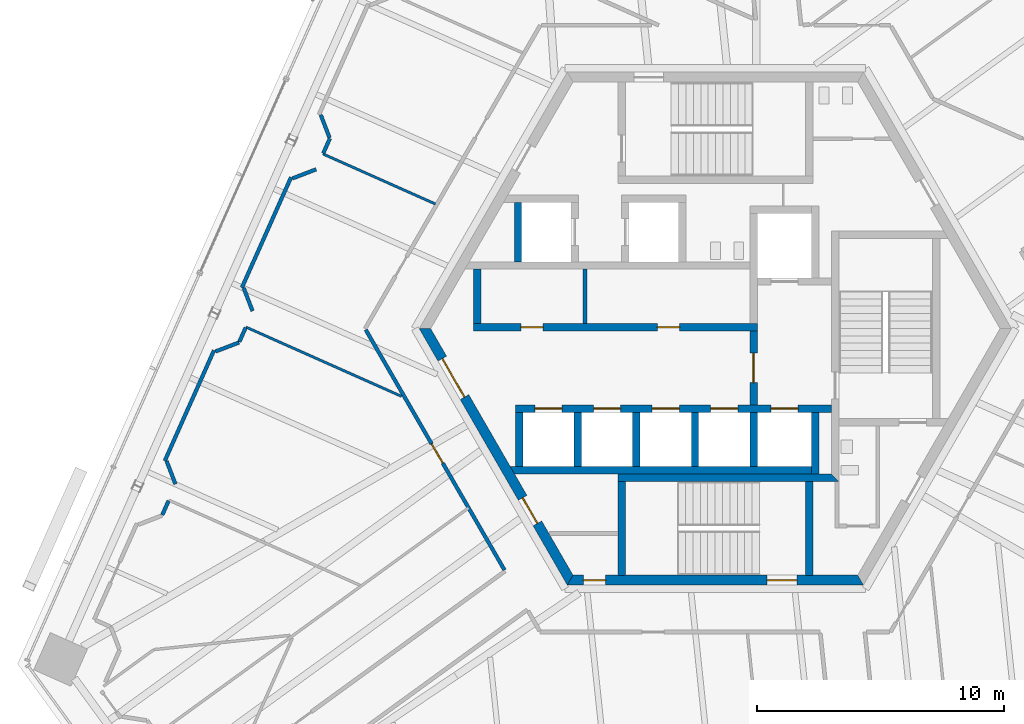
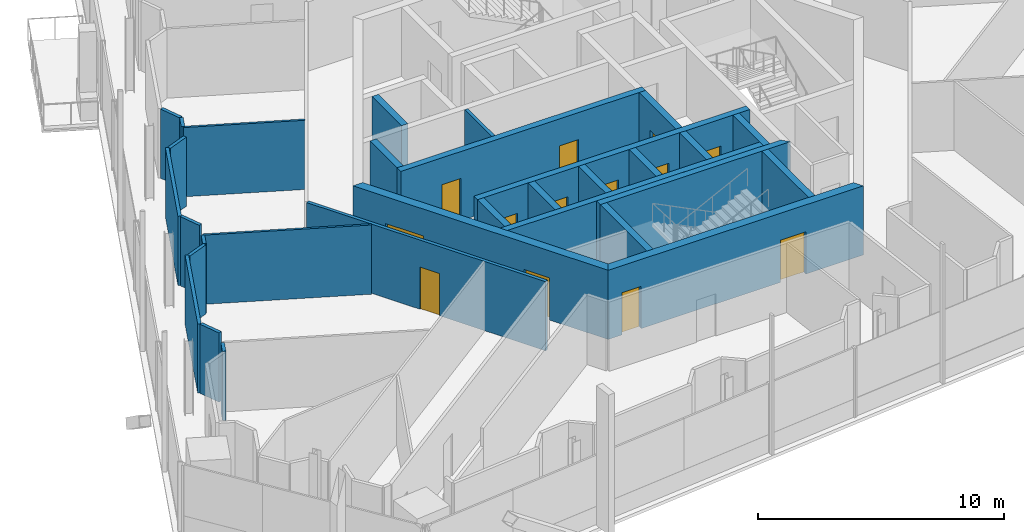
# One storey, part 11 of 21: 31 walls, 13 doors, 13 openings.
"""IFC4 building model written with IfcOpenShell, lengths in metres."""

from ifc_helpers import new_model, si_unit, direction, frame, frame_2d, origin, place, context, subcontext, project, spatial, polyline, rectangle, outline, extrude, source, transform, mapped, material, layer, layer_set, type_object, element, fill, save


model = new_model("IFC4")

# Units and contexts
model_context = context("Model", 3, precision=1e-05, world=origin(), true_north=direction((0.0, 1.0)))
body_context = subcontext(model_context, "Body", "Model", "MODEL_VIEW")
ifc_project = project(units=[si_unit("LENGTHUNIT", "METRE"), si_unit("AREAUNIT", "SQUARE_METRE"), si_unit("VOLUMEUNIT", "CUBIC_METRE"), si_unit("PLANEANGLEUNIT", "RADIAN"), si_unit("MASSUNIT", "GRAM", prefix="KILO")], contexts=[model_context])

# Site, building, storey
site_placement = place(None, origin())
site = spatial("IfcSite", under=ifc_project, at=site_placement, CompositionType="ELEMENT")
building_placement = place(site_placement, origin())
building = spatial("IfcBuilding", under=site, at=building_placement, Name="Triune Harvest Tower", CompositionType="ELEMENT")
storey_placement = place(building_placement, frame((0.0, 0.0, 248.5)))
storey = spatial("IfcBuildingStorey", under=building, at=storey_placement, Name="L65", CompositionType="ELEMENT", Elevation=248.5)

# Wall, opening, door
ifc_material_1 = material(Name="Gypsum board on steel studs", Category="steel")
ifc_layer_1 = layer(ifc_material_1, 0.14990234375)
ifc_layer_set_1 = layer_set([ifc_layer_1], Name="Gypsum board on steel studs")
wall_type_1 = type_object("IfcWallType", Name="Fire Partition 150 mm", PredefinedType="PARTITIONING", material=ifc_layer_set_1)
wall_1_placement = place(storey_placement, frame((-14.1689453125, -0.04296875, 0.0), z_axis=(0.0, 0.0, 1.0), x_axis=(0.500001223064, -0.866024697647, 0.0)))
wall_1 = element("IfcWall", 1, at=wall_1_placement, inside=storey, type_object=wall_type_1, Name="Partition L65 021", PredefinedType="PARTITIONING", context=body_context, shape_type="SweptSolid", body=[
    extrude(rectangle(XDim=11.2451171875, YDim=0.14990234375, at=frame_2d((5.62255859375, 0.0))), origin(), (0.0, 0.0, 1.0), 3.43994140625),
])
opening_1_placement = place(wall_1_placement, frame((5.343505859375, 0.0, 0.0)))
opening_1 = element("IfcOpeningElement", 2, at=opening_1_placement, cuts=wall_1, Name="Opening L65-015", PredefinedType="OPENING", context=body_context, shape_type="SweptSolid", body=[
    extrude(rectangle(XDim=0.89990234375, YDim=2.10009765625, at=frame_2d((0.449951171875, 1.050048828125))), frame((0.0, 0.0849609375, 0.0), z_axis=(0.0, -1.0, 0.0), x_axis=(1.0, 0.0, 0.0)), (0.0, 0.0, 1.0), 0.169921875),
])
ifc_material_2 = material(Name="Timber and steel door set", Category="steel")
door_type_1 = type_object("IfcDoorType", Name="Single leaf door FD30 left hand 900 x 2100", OperationType="SINGLE_SWING_LEFT", PredefinedType="DOOR", material=ifc_material_2)
door_1_placement = place(opening_1_placement, origin())
door_1 = element("IfcDoor", 3, at=door_1_placement, inside=storey, type_object=door_type_1, Name="Door L65-015 Office 65.15", OperationType="SINGLE_SWING_LEFT", OverallHeight=2.10009765625, OverallWidth=0.89990234375, PredefinedType="DOOR", context=body_context, shape_type="SweptSolid", body=[
    extrude(rectangle(XDim=0.89990234375, YDim=2.10009765625, at=frame_2d((0.449951171875, 1.050048828125))), frame((0.0, 0.02490234375, 0.0), z_axis=(0.0, -1.0, 0.0), x_axis=(1.0, 0.0, 0.0)), (0.0, 0.0, 1.0), 0.050048828125),
])
fill(opening_1, door_1)

# Walls
wall_2_placement = place(storey_placement, frame((-19.290283203125, -0.533935546875, 0.0), z_axis=(0.0, 0.0, 1.0), x_axis=(0.406534719055, 0.913635333272, 0.0)))
element("IfcWall", 4, at=wall_2_placement, inside=storey, type_object=wall_type_1, Name="Partition L65 127", PredefinedType="PARTITIONING", context=body_context, shape_type="SweptSolid", body=[
    extrude(rectangle(XDim=0.628662109375, YDim=0.14990234375, at=frame_2d((0.314453125, 0.0))), origin(), (0.0, 0.0, 1.0), 3.43994140625),
])
wall_3_placement = place(storey_placement, frame((-15.889404296875, 7.103759765625, 0.0), z_axis=(0.0, 0.0, 1.0), x_axis=(0.406587108314, 0.913612020145, 0.0)))
element("IfcWall", 5, at=wall_3_placement, inside=storey, type_object=wall_type_1, Name="Partition L65 128", PredefinedType="PARTITIONING", context=body_context, shape_type="SweptSolid", body=[
    extrude(rectangle(XDim=0.65625, YDim=0.14990234375, at=frame_2d((0.328125, 0.0))), origin(), (0.0, 0.0, 1.0), 3.43994140625),
])
wall_4_placement = place(storey_placement, frame((-19.188232421875, 1.657470703125, 0.0), z_axis=(0.0, 0.0, 1.0), x_axis=(0.40675767403, 0.913536093768, 0.0)))
element("IfcWall", 6, at=wall_4_placement, inside=storey, type_object=wall_type_1, Name="Partition L65 133", PredefinedType="PARTITIONING", context=body_context, shape_type="SweptSolid", body=[
    extrude(rectangle(XDim=4.9013671875, YDim=0.14990234375, at=frame_2d((2.45068359375, 0.0))), origin(), (0.0, 0.0, 1.0), 3.43994140625),
])
ifc_material_3 = material(Name="Gypsum board on steel studs", Category="steel")
ifc_layer_2 = layer(ifc_material_3, 0.10009765625)
ifc_layer_set_2 = layer_set([ifc_layer_2], Name="Gypsum board on steel studs")
wall_type_2 = type_object("IfcWallType", Name="Partition 100 mm", PredefinedType="PARTITIONING", material=ifc_layer_set_2)
wall_5_placement = place(storey_placement, frame((-19.02392578125, 0.063720703125, 0.0), z_axis=(0.0, 0.0, 1.0), x_axis=(0.913544422689, -0.406738967611, 0.0)))
element("IfcWall", 7, at=wall_5_placement, inside=storey, type_object=wall_type_2, Name="Partition L65 050", PredefinedType="PARTITIONING", context=body_context, shape_type="SweptSolid", body=[
    extrude(rectangle(XDim=6.902099609375, YDim=0.10009765625, at=frame_2d((3.451171875, 0.0))), origin(), (0.0, 0.0, 1.0), 3.43994140625),
])

# Wall, openings, doors
ifc_material_4 = material(Name="Concrete 70 MPa", Category="concrete")
ifc_layer_3 = layer(ifc_material_4, 0.39990234375)
ifc_layer_set_3 = layer_set([ifc_layer_3], Name="Concrete 70 MPa")
wall_type_3 = type_object("IfcWallType", Name="Core wall 400", PredefinedType="SHEAR", material=ifc_layer_set_3)
shared_shape_1 = source(origin(), body_context, "Body", "SweptSolid", [
    extrude(outline(polyline([(-0.115478515625, -0.199951171875), (11.884521484375, -0.199951171875), (11.653564453125, 0.199951171875), (0.115478515625, 0.199951171875), (-0.115478515625, -0.199951171875)])), origin(), (0.0, 0.0, 1.0), 3.43994140625),
])
wall_6_placement = place(storey_placement, frame((-11.76904296875, 0.0, 0.0), z_axis=(0.0, 0.0, 1.0), x_axis=(0.499996592174, -0.866027371285, 0.0)))
wall_6 = element("IfcWall", 8, at=wall_6_placement, inside=storey, type_object=wall_type_3, Name="Hexagon 3 wall", PredefinedType="SHEAR", context=body_context, shape_type="MappedRepresentation", body=[
    mapped(shared_shape_1, transform((0.0, 0.0, 0.0), scale=1.0)),
])
opening_2_placement = place(wall_6_placement, frame((1.404541015625, 0.0, 0.0)))
opening_2 = element("IfcOpeningElement", 9, at=opening_2_placement, cuts=wall_6, Name="Opening CD-LS", PredefinedType="OPENING", context=body_context, shape_type="SweptSolid", body=[
    extrude(rectangle(XDim=1.800048828125, YDim=2.10009765625, at=frame_2d((0.89990234375, 1.050048828125))), frame((0.0, 0.2099609375, 0.0), z_axis=(0.0, -1.0, 0.0), x_axis=(1.0, 0.0, 0.0)), (0.0, 0.0, 1.0), 0.419921875),
])
opening_3_placement = place(wall_6_placement, frame((7.91455078125, 0.0, 0.0)))
opening_3 = element("IfcOpeningElement", 10, at=opening_3_placement, cuts=wall_6, Name="Opening CD-SWP", PredefinedType="OPENING", context=body_context, shape_type="SweptSolid", body=[
    extrude(rectangle(XDim=1.199951171875, YDim=2.10009765625, at=frame_2d((0.60009765625, 1.050048828125))), frame((0.0, 0.2099609375, 0.0), z_axis=(0.0, -1.0, 0.0), x_axis=(1.0, 0.0, 0.0)), (0.0, 0.0, 1.0), 0.419921875),
])
ifc_material_5 = material(Name="Steel S235", Category="steel")
door_type_2 = type_object("IfcDoorType", Name="Lobby door 1800 FD120", OperationType="DOUBLE_DOOR_DOUBLE_SWING", PredefinedType="DOOR", material=ifc_material_5)
door_2_placement = place(opening_2_placement, frame((1.800048828125, 0.0, 0.0), z_axis=(0.0, 0.0, 1.0), x_axis=(-1.0, 0.0, 0.0)))
door_2 = element("IfcDoor", 11, at=door_2_placement, inside=storey, type_object=door_type_2, Name="Door CD-LS", OperationType="DOUBLE_DOOR_DOUBLE_SWING", OverallHeight=2.10009765625, OverallWidth=1.800048828125, PredefinedType="DOOR", context=body_context, shape_type="SweptSolid", body=[
    extrude(rectangle(XDim=1.800048828125, YDim=2.10009765625, at=frame_2d((0.89990234375, 1.050048828125))), frame((0.0, 0.02490234375, 0.0), z_axis=(0.0, -1.0, 0.0), x_axis=(1.0, 0.0, 0.0)), (0.0, 0.0, 1.0), 0.050048828125),
])
fill(opening_2, door_2)
ifc_material_6 = material(Name="Steel S235", Category="steel")
door_type_3 = type_object("IfcDoorType", Name="Service door 1200 FD120", OperationType="SINGLE_SWING_LEFT", PredefinedType="DOOR", material=ifc_material_6)
door_3_placement = place(opening_3_placement, frame((1.199951171875, 0.0, 0.0), z_axis=(0.0, 0.0, 1.0), x_axis=(-1.0, 0.0, 0.0)))
door_3 = element("IfcDoor", 12, at=door_3_placement, inside=storey, type_object=door_type_3, Name="Door CD-SWP", OperationType="SINGLE_SWING_RIGHT", OverallHeight=2.10009765625, OverallWidth=1.199951171875, PredefinedType="DOOR", context=body_context, shape_type="SweptSolid", body=[
    extrude(rectangle(XDim=1.199951171875, YDim=2.10009765625, at=frame_2d((0.60009765625, 1.050048828125))), frame((0.0, 0.02490234375, 0.0), z_axis=(0.0, -1.0, 0.0), x_axis=(1.0, 0.0, 0.0)), (0.0, 0.0, 1.0), 0.050048828125),
])
fill(opening_3, door_3)

wall_7_placement = place(storey_placement, frame((-5.884521484375, -10.1923828125, 0.0), z_axis=(0.0, 0.0, 1.0), x_axis=(1.0, 0.0, 0.0)))
wall_7 = element("IfcWall", 13, at=wall_7_placement, inside=storey, type_object=wall_type_3, Name="Hexagon 4 wall", PredefinedType="SHEAR", context=body_context, shape_type="MappedRepresentation", body=[
    mapped(shared_shape_1, transform((0.0, 0.0, 0.0), scale=1.0)),
])
opening_4_placement = place(wall_7_placement, frame((7.984619140625, 0.0, 0.0)))
opening_4 = element("IfcOpeningElement", 14, at=opening_4_placement, cuts=wall_7, Name="Opening CD-S2P", PredefinedType="OPENING", context=body_context, shape_type="SweptSolid", body=[
    extrude(rectangle(XDim=1.199951171875, YDim=2.10009765625, at=frame_2d((0.60009765625, 1.050048828125))), frame((0.0, 0.2099609375, 0.0), z_axis=(0.0, -1.0, 0.0), x_axis=(1.0, 0.0, 0.0)), (0.0, 0.0, 1.0), 0.419921875),
])
opening_5_placement = place(wall_7_placement, frame((0.534423828125, 0.0, 0.0)))
opening_5 = element("IfcOpeningElement", 15, at=opening_5_placement, cuts=wall_7, Name="Opening CD-SWS", PredefinedType="OPENING", context=body_context, shape_type="SweptSolid", body=[
    extrude(rectangle(XDim=0.89990234375, YDim=2.10009765625, at=frame_2d((0.449951171875, 1.050048828125))), frame((0.0, 0.2099609375, 0.0), z_axis=(0.0, -1.0, 0.0), x_axis=(1.0, 0.0, 0.0)), (0.0, 0.0, 1.0), 0.419921875),
])
ifc_material_7 = material(Name="Steel S235", Category="steel")
door_type_4 = type_object("IfcDoorType", Name="Riser door 900 FD120", OperationType="SINGLE_SWING_LEFT", PredefinedType="DOOR", material=ifc_material_7)
door_4_placement = place(opening_5_placement, frame((0.89990234375, 0.0, 0.0), z_axis=(0.0, 0.0, 1.0), x_axis=(-1.0, 0.0, 0.0)))
door_4 = element("IfcDoor", 16, at=door_4_placement, inside=storey, type_object=door_type_4, Name="Door CD-SWS", OperationType="SINGLE_SWING_RIGHT", OverallHeight=2.10009765625, OverallWidth=0.89990234375, PredefinedType="DOOR", context=body_context, shape_type="SweptSolid", body=[
    extrude(rectangle(XDim=0.89990234375, YDim=2.10009765625, at=frame_2d((0.449951171875, 1.050048828125))), frame((0.0, 0.02490234375, 0.0), z_axis=(0.0, -1.0, 0.0), x_axis=(1.0, 0.0, 0.0)), (0.0, 0.0, 1.0), 0.050048828125),
])
fill(opening_5, door_4)
ifc_material_8 = material(Name="Steel S235", Category="steel")
door_type_5 = type_object("IfcDoorType", Name="Stair door 1200 FD120", OperationType="SINGLE_SWING_LEFT", PredefinedType="DOOR", material=ifc_material_8)
door_5_placement = place(opening_4_placement, frame((1.199951171875, 0.0, 0.0), z_axis=(0.0, 0.0, 1.0), x_axis=(-1.0, 0.0, 0.0)))
door_5 = element("IfcDoor", 17, at=door_5_placement, inside=storey, type_object=door_type_5, Name="Door CD-S2P", OperationType="SINGLE_SWING_RIGHT", OverallHeight=2.10009765625, OverallWidth=1.199951171875, PredefinedType="DOOR", context=body_context, shape_type="SweptSolid", body=[
    extrude(rectangle(XDim=1.199951171875, YDim=2.10009765625, at=frame_2d((0.60009765625, 1.050048828125))), frame((0.0, 0.02490234375, 0.0), z_axis=(0.0, -1.0, 0.0), x_axis=(1.0, 0.0, 0.0)), (0.0, 0.0, 1.0), 0.050048828125),
])
fill(opening_4, door_5)

ifc_material_9 = material(Name="Concrete 70 MPa", Category="concrete")
ifc_layer_4 = layer(ifc_material_9, 0.300048828125)
ifc_layer_set_4 = layer_set([ifc_layer_4], Name="Concrete 70 MPa")
wall_type_4 = type_object("IfcWallType", Name="Core wall 300", PredefinedType="SHEAR", material=ifc_layer_set_4)
shared_shape_2 = source(origin(), body_context, "Body", "SweptSolid", [
    extrude(rectangle(XDim=11.5, YDim=0.300048828125, at=frame_2d((5.75, 0.0))), origin(), (0.0, 0.0, 1.0), 3.43994140625),
])
wall_8_placement = place(storey_placement, frame((-9.800048828125, 0.06005859375, 0.0), z_axis=(0.0, 0.0, 1.0), x_axis=(1.0, 0.0, 0.0)))
wall_8 = element("IfcWall", 18, at=wall_8_placement, inside=storey, type_object=wall_type_4, Name="North front wall", PredefinedType="SHEAR", context=body_context, shape_type="MappedRepresentation", body=[
    mapped(shared_shape_2, transform((0.0, 0.0, 0.0), scale=1.0)),
])
opening_6_placement = place(wall_8_placement, frame((1.922607421875, 0.0, 0.0)))
opening_6 = element("IfcOpeningElement", 19, at=opening_6_placement, cuts=wall_8, Name="Opening CD-RN1", PredefinedType="OPENING", context=body_context, shape_type="SweptSolid", body=[
    extrude(rectangle(XDim=0.89990234375, YDim=2.10009765625, at=frame_2d((0.449951171875, 1.050048828125))), frame((0.0, 0.16015625, 0.0), z_axis=(0.0, -1.0, 0.0), x_axis=(1.0, 0.0, 0.0)), (0.0, 0.0, 1.0), 0.320068359375),
])
opening_7_placement = place(wall_8_placement, frame((7.447509765625, 0.0, 0.0)))
opening_7 = element("IfcOpeningElement", 20, at=opening_7_placement, cuts=wall_8, Name="Opening CD-RN2", PredefinedType="OPENING", context=body_context, shape_type="SweptSolid", body=[
    extrude(rectangle(XDim=0.89990234375, YDim=2.10009765625, at=frame_2d((0.449951171875, 1.050048828125))), frame((0.0, 0.16015625, 0.0), z_axis=(0.0, -1.0, 0.0), x_axis=(1.0, 0.0, 0.0)), (0.0, 0.0, 1.0), 0.320068359375),
])
door_6_placement = place(opening_6_placement, frame((0.89990234375, 0.0, 0.0), z_axis=(0.0, 0.0, 1.0), x_axis=(-1.0, 0.0, 0.0)))
door_6 = element("IfcDoor", 21, at=door_6_placement, inside=storey, type_object=door_type_4, Name="Door CD-RN1", OperationType="SINGLE_SWING_RIGHT", OverallHeight=2.10009765625, OverallWidth=0.89990234375, PredefinedType="DOOR", context=body_context, shape_type="SweptSolid", body=[
    extrude(rectangle(XDim=0.89990234375, YDim=2.10009765625, at=frame_2d((0.449951171875, 1.050048828125))), frame((0.0, 0.02490234375, 0.0), z_axis=(0.0, -1.0, 0.0), x_axis=(1.0, 0.0, 0.0)), (0.0, 0.0, 1.0), 0.050048828125),
])
fill(opening_6, door_6)
door_7_placement = place(opening_7_placement, frame((0.89990234375, 0.0, 0.0), z_axis=(0.0, 0.0, 1.0), x_axis=(-1.0, 0.0, 0.0)))
door_7 = element("IfcDoor", 22, at=door_7_placement, inside=storey, type_object=door_type_4, Name="Door CD-RN2", OperationType="SINGLE_SWING_RIGHT", OverallHeight=2.10009765625, OverallWidth=0.89990234375, PredefinedType="DOOR", context=body_context, shape_type="SweptSolid", body=[
    extrude(rectangle(XDim=0.89990234375, YDim=2.10009765625, at=frame_2d((0.449951171875, 1.050048828125))), frame((0.0, 0.02490234375, 0.0), z_axis=(0.0, -1.0, 0.0), x_axis=(1.0, 0.0, 0.0)), (0.0, 0.0, 1.0), 0.050048828125),
])
fill(opening_7, door_7)

# Wall
shared_shape_3 = source(origin(), body_context, "Body", "SweptSolid", [
    extrude(rectangle(XDim=2.5, YDim=0.300048828125, at=frame_2d((1.25, 0.0))), origin(), (0.0, 0.0, 1.0), 3.43994140625),
])
wall_9_placement = place(storey_placement, frame((4.050048828125, -5.889892578125, 0.0), z_axis=(0.0, 0.0, 1.0), x_axis=(0.0, 1.0, 0.0)))
element("IfcWall", 23, at=wall_9_placement, inside=storey, type_object=wall_type_4, Name="Ff2 east wall", PredefinedType="SHEAR", context=body_context, shape_type="MappedRepresentation", body=[
    mapped(shared_shape_3, transform((0.0, 0.0, 0.0), scale=1.0)),
])

# Wall, opening, door
shared_shape_4 = source(origin(), body_context, "Body", "SweptSolid", [
    extrude(rectangle(XDim=3.0, YDim=0.300048828125, at=frame_2d((1.5, 0.0))), origin(), (0.0, 0.0, 1.0), 3.43994140625),
])
wall_10_placement = place(storey_placement, frame((1.550048828125, -3.090087890625, 0.0), z_axis=(0.0, 0.0, 1.0), x_axis=(0.0, 1.0, 0.0)))
wall_10 = element("IfcWall", 24, at=wall_10_placement, inside=storey, type_object=wall_type_4, Name="Ff lobby west wall", PredefinedType="SHEAR", context=body_context, shape_type="MappedRepresentation", body=[
    mapped(shared_shape_4, transform((0.0, 0.0, 0.0), scale=1.0)),
])
opening_8_placement = place(wall_10_placement, frame((0.89990234375, 0.0, 0.0)))
opening_8 = element("IfcOpeningElement", 25, at=opening_8_placement, cuts=wall_10, Name="Opening CD-FL", PredefinedType="OPENING", context=body_context, shape_type="SweptSolid", body=[
    extrude(rectangle(XDim=1.199951171875, YDim=2.10009765625, at=frame_2d((0.60009765625, 1.050048828125))), frame((0.0, 0.16015625, 0.0), z_axis=(0.0, -1.0, 0.0), x_axis=(1.0, 0.0, 0.0)), (0.0, 0.0, 1.0), 0.320068359375),
])
ifc_material_10 = material(Name="Steel S235", Category="steel")
door_type_6 = type_object("IfcDoorType", Name="Firefighters' lobby door 1200 FD120", OperationType="SINGLE_SWING_LEFT", PredefinedType="DOOR", material=ifc_material_10)
door_8_placement = place(opening_8_placement, frame((1.199951171875, 0.0, 0.0), z_axis=(0.0, 0.0, 1.0), x_axis=(-1.0, 0.0, 0.0)))
door_8 = element("IfcDoor", 26, at=door_8_placement, inside=storey, type_object=door_type_6, Name="Door CD-FL", OperationType="SINGLE_SWING_RIGHT", OverallHeight=2.10009765625, OverallWidth=1.199951171875, PredefinedType="DOOR", context=body_context, shape_type="SweptSolid", body=[
    extrude(rectangle(XDim=1.199951171875, YDim=2.10009765625, at=frame_2d((0.60009765625, 1.050048828125))), frame((0.0, 0.02490234375, 0.0), z_axis=(0.0, -1.0, 0.0), x_axis=(1.0, 0.0, 0.0)), (0.0, 0.0, 1.0), 0.050048828125),
])
fill(opening_8, door_8)

# Wall, openings, doors
shared_shape_5 = source(origin(), body_context, "Body", "SweptSolid", [
    extrude(rectangle(XDim=12.800048828125, YDim=0.300048828125, at=frame_2d((6.39990234375, 0.0))), origin(), (0.0, 0.0, 1.0), 3.43994140625),
])
wall_11_placement = place(storey_placement, frame((-8.10009765625, -3.239990234375, 0.0), z_axis=(0.0, 0.0, 1.0), x_axis=(1.0, 0.0, 0.0)))
wall_11 = element("IfcWall", 27, at=wall_11_placement, inside=storey, type_object=wall_type_4, Name="South front wall", PredefinedType="SHEAR", context=body_context, shape_type="MappedRepresentation", body=[
    mapped(shared_shape_5, transform((0.0, 0.0, 0.0), scale=1.0)),
])
opening_9_placement = place(wall_11_placement, frame((0.78759765625, 0.0, 0.0)))
opening_9 = element("IfcOpeningElement", 28, at=opening_9_placement, cuts=wall_11, Name="Opening LD-HR1-65", PredefinedType="OPENING", context=body_context, shape_type="SweptSolid", body=[
    extrude(rectangle(XDim=1.10009765625, YDim=2.10009765625, at=frame_2d((0.550048828125, 1.050048828125))), frame((0.0, 0.16015625, 0.0), z_axis=(0.0, -1.0, 0.0), x_axis=(1.0, 0.0, 0.0)), (0.0, 0.0, 1.0), 0.320068359375),
])
opening_10_placement = place(wall_11_placement, frame((3.16259765625, 0.0, 0.0)))
opening_10 = element("IfcOpeningElement", 29, at=opening_10_placement, cuts=wall_11, Name="Opening LD-HR2-65", PredefinedType="OPENING", context=body_context, shape_type="SweptSolid", body=[
    extrude(rectangle(XDim=1.10009765625, YDim=2.10009765625, at=frame_2d((0.550048828125, 1.050048828125))), frame((0.0, 0.16015625, 0.0), z_axis=(0.0, -1.0, 0.0), x_axis=(1.0, 0.0, 0.0)), (0.0, 0.0, 1.0), 0.320068359375),
])
opening_11_placement = place(wall_11_placement, frame((5.53759765625, 0.0, 0.0)))
opening_11 = element("IfcOpeningElement", 30, at=opening_11_placement, cuts=wall_11, Name="Opening LD-HR3-65", PredefinedType="OPENING", context=body_context, shape_type="SweptSolid", body=[
    extrude(rectangle(XDim=1.10009765625, YDim=2.10009765625, at=frame_2d((0.550048828125, 1.050048828125))), frame((0.0, 0.16015625, 0.0), z_axis=(0.0, -1.0, 0.0), x_axis=(1.0, 0.0, 0.0)), (0.0, 0.0, 1.0), 0.320068359375),
])
opening_12_placement = place(wall_11_placement, frame((7.91259765625, 0.0, 0.0)))
opening_12 = element("IfcOpeningElement", 31, at=opening_12_placement, cuts=wall_11, Name="Opening LD-HR4-65", PredefinedType="OPENING", context=body_context, shape_type="SweptSolid", body=[
    extrude(rectangle(XDim=1.10009765625, YDim=2.10009765625, at=frame_2d((0.550048828125, 1.050048828125))), frame((0.0, 0.16015625, 0.0), z_axis=(0.0, -1.0, 0.0), x_axis=(1.0, 0.0, 0.0)), (0.0, 0.0, 1.0), 0.320068359375),
])
opening_13_placement = place(wall_11_placement, frame((10.35009765625, 0.0, 0.0)))
opening_13 = element("IfcOpeningElement", 32, at=opening_13_placement, cuts=wall_11, Name="Opening LD-FF2-65", PredefinedType="OPENING", context=body_context, shape_type="SweptSolid", body=[
    extrude(rectangle(XDim=1.10009765625, YDim=2.10009765625, at=frame_2d((0.550048828125, 1.050048828125))), frame((0.0, 0.16015625, 0.0), z_axis=(0.0, -1.0, 0.0), x_axis=(1.0, 0.0, 0.0)), (0.0, 0.0, 1.0), 0.320068359375),
])
ifc_material_11 = material(Name="Stainless steel AISI 304", Category="steel")
door_type_7 = type_object("IfcDoorType", Name="Landing door 1100 x 2100", OperationType="DOUBLE_DOOR_SLIDING", PredefinedType="DOOR", material=ifc_material_11)
door_9_placement = place(opening_9_placement, origin())
door_9 = element("IfcDoor", 33, at=door_9_placement, inside=storey, type_object=door_type_7, Name="Door LD-HR1-65", OperationType="DOUBLE_DOOR_SLIDING", OverallHeight=2.10009765625, OverallWidth=1.10009765625, PredefinedType="DOOR", context=body_context, shape_type="SweptSolid", body=[
    extrude(rectangle(XDim=1.10009765625, YDim=2.10009765625, at=frame_2d((0.550048828125, 1.050048828125))), frame((0.0, 0.02490234375, 0.0), z_axis=(0.0, -1.0, 0.0), x_axis=(1.0, 0.0, 0.0)), (0.0, 0.0, 1.0), 0.050048828125),
])
fill(opening_9, door_9)
door_10_placement = place(opening_10_placement, origin())
door_10 = element("IfcDoor", 34, at=door_10_placement, inside=storey, type_object=door_type_7, Name="Door LD-HR2-65", OperationType="DOUBLE_DOOR_SLIDING", OverallHeight=2.10009765625, OverallWidth=1.10009765625, PredefinedType="DOOR", context=body_context, shape_type="SweptSolid", body=[
    extrude(rectangle(XDim=1.10009765625, YDim=2.10009765625, at=frame_2d((0.550048828125, 1.050048828125))), frame((0.0, 0.02490234375, 0.0), z_axis=(0.0, -1.0, 0.0), x_axis=(1.0, 0.0, 0.0)), (0.0, 0.0, 1.0), 0.050048828125),
])
fill(opening_10, door_10)
door_11_placement = place(opening_11_placement, origin())
door_11 = element("IfcDoor", 35, at=door_11_placement, inside=storey, type_object=door_type_7, Name="Door LD-HR3-65", OperationType="DOUBLE_DOOR_SLIDING", OverallHeight=2.10009765625, OverallWidth=1.10009765625, PredefinedType="DOOR", context=body_context, shape_type="SweptSolid", body=[
    extrude(rectangle(XDim=1.10009765625, YDim=2.10009765625, at=frame_2d((0.550048828125, 1.050048828125))), frame((0.0, 0.02490234375, 0.0), z_axis=(0.0, -1.0, 0.0), x_axis=(1.0, 0.0, 0.0)), (0.0, 0.0, 1.0), 0.050048828125),
])
fill(opening_11, door_11)
door_12_placement = place(opening_12_placement, origin())
door_12 = element("IfcDoor", 36, at=door_12_placement, inside=storey, type_object=door_type_7, Name="Door LD-HR4-65", OperationType="DOUBLE_DOOR_SLIDING", OverallHeight=2.10009765625, OverallWidth=1.10009765625, PredefinedType="DOOR", context=body_context, shape_type="SweptSolid", body=[
    extrude(rectangle(XDim=1.10009765625, YDim=2.10009765625, at=frame_2d((0.550048828125, 1.050048828125))), frame((0.0, 0.02490234375, 0.0), z_axis=(0.0, -1.0, 0.0), x_axis=(1.0, 0.0, 0.0)), (0.0, 0.0, 1.0), 0.050048828125),
])
fill(opening_12, door_12)
door_13_placement = place(opening_13_placement, origin())
door_13 = element("IfcDoor", 37, at=door_13_placement, inside=storey, type_object=door_type_7, Name="Door LD-FF2-65", OperationType="DOUBLE_DOOR_SLIDING", OverallHeight=2.10009765625, OverallWidth=1.10009765625, PredefinedType="DOOR", context=body_context, shape_type="SweptSolid", body=[
    extrude(rectangle(XDim=1.10009765625, YDim=2.10009765625, at=frame_2d((0.550048828125, 1.050048828125))), frame((0.0, 0.02490234375, 0.0), z_axis=(0.0, -1.0, 0.0), x_axis=(1.0, 0.0, 0.0)), (0.0, 0.0, 1.0), 0.050048828125),
])
fill(opening_13, door_13)

# Walls
shared_shape_6 = source(origin(), body_context, "Body", "SweptSolid", [
    extrude(outline(polyline([(12.0, -0.14990234375), (-0.039794921875, -0.14990234375), (-0.212890625, 0.14990234375), (12.0, 0.14990234375), (12.0, -0.14990234375)])), origin(), (0.0, 0.0, 1.0), 3.43994140625),
])
wall_12_placement = place(storey_placement, frame((-8.10009765625, -5.739990234375, 0.0), z_axis=(0.0, 0.0, 1.0), x_axis=(1.0, 0.0, 0.0)))
element("IfcWall", 38, at=wall_12_placement, inside=storey, type_object=wall_type_4, Name="South back wall", PredefinedType="SHEAR", context=body_context, shape_type="MappedRepresentation", body=[
    mapped(shared_shape_6, transform((0.0, 0.0, 0.0), scale=1.0)),
])
shared_shape_7 = source(origin(), body_context, "Body", "SweptSolid", [
    extrude(rectangle(XDim=2.2001953125, YDim=0.300048828125, at=frame_2d((1.10009765625, 0.0))), origin(), (0.0, 0.0, 1.0), 3.43994140625),
])
for number, where, z_axis, x_axis, name in (
    (39, (-7.949951171875, -5.590087890625, 0.0), (0.0, 0.0, 1.0), (0.0, 1.0, 0.0), "South end west wall"),
    (40, (1.550048828125, -5.590087890625, 0.0), (0.0, 0.0, 1.0), (0.0, 1.0, 0.0), "Ff2 west wall"),
    (41, (-5.574951171875, -5.590087890625, 0.0), (0.0, 0.0, 1.0), (0.0, 1.0, 0.0), "South cross 1 wall"),
    (42, (-3.199951171875, -5.590087890625, 0.0), (0.0, 0.0, 1.0), (0.0, 1.0, 0.0), "South cross 2 wall"),
    (43, (-0.824951171875, -5.590087890625, 0.0), (0.0, 0.0, 1.0), (0.0, 1.0, 0.0), "South cross 3 wall"),
):
    element("IfcWall", number, at=place(storey_placement, frame(where, z_axis=z_axis, x_axis=x_axis)), inside=storey, type_object=wall_type_4, Name=name, PredefinedType="SHEAR", context=body_context, shape_type="MappedRepresentation", body=[
        mapped(shared_shape_7, transform((0.0, 0.0, 0.0), scale=1.0)),
    ])
shared_shape_8 = source(origin(), body_context, "Body", "SweptSolid", [
    extrude(rectangle(XDim=2.199951171875, YDim=0.300048828125, at=frame_2d((1.10009765625, 0.0))), origin(), (0.0, 0.0, 1.0), 3.43994140625),
])
wall_13_placement = place(storey_placement, frame((-9.64990234375, 0.2099609375, 0.0), z_axis=(0.0, 0.0, 1.0), x_axis=(0.0, 1.0, 0.0)))
element("IfcWall", 44, at=wall_13_placement, inside=storey, type_object=wall_type_4, Name="North end west wall", PredefinedType="SHEAR", context=body_context, shape_type="MappedRepresentation", body=[
    mapped(shared_shape_8, transform((0.0, 0.0, 0.0), scale=1.0)),
])
shared_shape_9 = source(origin(), body_context, "Body", "SweptSolid", [
    extrude(outline(polyline([(0.0, -0.14990234375), (8.949951171875, -0.14990234375), (8.64990234375, 0.14990234375), (0.0, 0.14990234375), (0.0, -0.14990234375)])), origin(), (0.0, 0.0, 1.0), 3.43994140625),
])
wall_14_placement = place(storey_placement, frame((-3.949951171875, -6.0400390625, 0.0), z_axis=(0.0, 0.0, 1.0), x_axis=(1.0, 0.0, 0.0)))
element("IfcWall", 45, at=wall_14_placement, inside=storey, type_object=wall_type_4, Name="Stair s north wall", PredefinedType="SHEAR", context=body_context, shape_type="MappedRepresentation", body=[
    mapped(shared_shape_9, transform((0.0, 0.0, 0.0), scale=1.0)),
])
shared_shape_10 = source(origin(), body_context, "Body", "SweptSolid", [
    extrude(outline(polyline([(3.800048828125, -0.14990234375), (-0.00439453125, -0.14990234375), (-0.00439453125, 0.14990234375), (3.800048828125, 0.14990234375), (3.800048828125, -0.14990234375)])), origin(), (0.0, 0.0, 1.0), 3.43994140625),
])
for number, where, z_axis, x_axis, name in (
    (46, (-3.800048828125, -9.989990234375, 0.0), (0.0, 0.0, 1.0), (0.0, 1.0, 0.0), "Stair s west wall"),
    (47, (3.800048828125, -9.989990234375, 0.0), (0.0, 0.0, 1.0), (0.0, 1.0, 0.0), "Stair s east wall"),
):
    element("IfcWall", number, at=place(storey_placement, frame(where, z_axis=z_axis, x_axis=x_axis)), inside=storey, type_object=wall_type_4, Name=name, PredefinedType="SHEAR", context=body_context, shape_type="MappedRepresentation", body=[
        mapped(shared_shape_10, transform((0.0, 0.0, 0.0), scale=1.0)),
    ])
shared_shape_11 = source(origin(), body_context, "Body", "SweptSolid", [
    extrude(rectangle(XDim=2.400146484375, YDim=0.300048828125, at=frame_2d((1.2001953125, 0.0))), origin(), (0.0, 0.0, 1.0), 3.43994140625),
])
wall_15_placement = place(storey_placement, frame((-8.0, 2.7099609375, 0.0), z_axis=(0.0, 0.0, 1.0), x_axis=(0.0, 1.0, 0.0)))
element("IfcWall", 48, at=wall_15_placement, inside=storey, type_object=wall_type_4, Name="Sv1 west wall", PredefinedType="SHEAR", context=body_context, shape_type="MappedRepresentation", body=[
    mapped(shared_shape_11, transform((0.0, 0.0, 0.0), scale=1.0)),
])
ifc_material_12 = material(Name="Concrete masonry unit", Category="masonry")
ifc_layer_5 = layer(ifc_material_12, 0.14990234375)
ifc_layer_set_5 = layer_set([ifc_layer_5], Name="Concrete masonry unit")
wall_type_5 = type_object("IfcWallType", Name="Block partition 150", PredefinedType="PARTITIONING", material=ifc_layer_set_5)
shared_shape_12 = source(origin(), body_context, "Body", "SweptSolid", [
    extrude(rectangle(XDim=2.199951171875, YDim=0.14990234375, at=frame_2d((1.10009765625, 0.0))), origin(), (0.0, 0.0, 1.0), 3.43994140625),
])
wall_16_placement = place(storey_placement, frame((-5.280029296875, 0.2099609375, 0.0), z_axis=(0.0, 0.0, 1.0), x_axis=(0.0, 1.0, 0.0)))
element("IfcWall", 49, at=wall_16_placement, inside=storey, type_object=wall_type_5, Name="Row n part 1 wall", PredefinedType="PARTITIONING", context=body_context, shape_type="MappedRepresentation", body=[
    mapped(shared_shape_12, transform((0.0, 0.0, 0.0), scale=1.0)),
])
shared_shape_13 = source(origin(), body_context, "Body", "SweptSolid", [
    extrude(rectangle(XDim=4.985107421875, YDim=0.10009765625, at=frame_2d((2.49267578125, 0.0))), origin(), (0.0, 0.0, 1.0), 3.43994140625),
])
wall_17_placement = place(storey_placement, frame((-15.900634765625, 7.078857421875, 0.0), z_axis=(0.0, 0.0, 1.0), x_axis=(0.913550842032, -0.406724549323, 0.0)))
element("IfcWall", 50, at=wall_17_placement, inside=storey, type_object=wall_type_2, Name="Partition L65 052", PredefinedType="PARTITIONING", context=body_context, shape_type="MappedRepresentation", body=[
    mapped(shared_shape_13, transform((0.0, 0.0, 0.0), scale=1.0)),
])
shared_shape_14 = source(origin(), body_context, "Body", "SweptSolid", [
    extrude(rectangle(XDim=0.998779296875, YDim=0.14990234375, at=frame_2d((0.49951171875, 0.0))), origin(), (0.0, 0.0, 1.0), 3.43994140625),
])
for number, where, z_axis, x_axis, name in (
    (51, (-22.23828125, -5.3671875, 0.0), (0.0, 0.0, 1.0), (0.358372903259, -0.93357852493, 0.0), "Partition L65 015"),
    (52, (-19.11474609375, 1.6484375, 0.0), (0.0, 0.0, 1.0), (0.358372903259, -0.93357852493, 0.0), "Partition L65 016"),
    (53, (-15.9912109375, 8.6640625, 0.0), (0.0, 0.0, 1.0), (0.358372903259, -0.93357852493, 0.0), "Partition L65 017"),
):
    element("IfcWall", number, at=place(storey_placement, frame(where, z_axis=z_axis, x_axis=x_axis)), inside=storey, type_object=wall_type_1, Name=name, PredefinedType="PARTITIONING", context=body_context, shape_type="MappedRepresentation", body=[
        mapped(shared_shape_14, transform((0.0, 0.0, 0.0), scale=1.0)),
    ])
shared_shape_15 = source(origin(), body_context, "Body", "SweptSolid", [
    extrude(rectangle(XDim=4.901123046875, YDim=0.14990234375, at=frame_2d((2.45068359375, 0.0))), origin(), (0.0, 0.0, 1.0), 3.43994140625),
])
wall_18_placement = place(storey_placement, frame((-22.3115234375, -5.35791015625, 0.0), z_axis=(0.0, 0.0, 1.0), x_axis=(0.406734611805, 0.91354636202, 0.0)))
element("IfcWall", 54, at=wall_18_placement, inside=storey, type_object=wall_type_1, Name="Partition L65 132", PredefinedType="PARTITIONING", context=body_context, shape_type="MappedRepresentation", body=[
    mapped(shared_shape_15, transform((0.0, 0.0, 0.0), scale=1.0)),
])
shared_shape_16 = source(origin(), body_context, "Body", "SweptSolid", [
    extrude(rectangle(XDim=1.02880859375, YDim=0.14990234375, at=frame_2d((0.514404296875, 0.0))), origin(), (0.0, 0.0, 1.0), 3.43994140625),
])
for number, where, z_axis, x_axis, name in (
    (55, (-20.262451171875, -0.92919921875, 0.0), (0.0, 0.0, 1.0), (0.933510634027, 0.358549712256, 0.0), "Partition L65 092"),
    (56, (-17.138916015625, 6.08642578125, 0.0), (0.0, 0.0, 1.0), (0.933590042206, 0.358342898762, 0.0), "Partition L65 093"),
):
    element("IfcWall", number, at=place(storey_placement, frame(where, z_axis=z_axis, x_axis=x_axis)), inside=storey, type_object=wall_type_1, Name=name, PredefinedType="PARTITIONING", context=body_context, shape_type="MappedRepresentation", body=[
        mapped(shared_shape_16, transform((0.0, 0.0, 0.0), scale=1.0)),
    ])
shared_shape_17 = source(origin(), body_context, "Body", "SweptSolid", [
    extrude(rectangle(XDim=0.62890625, YDim=0.14990234375, at=frame_2d((0.314453125, 0.0))), origin(), (0.0, 0.0, 1.0), 3.43994140625),
])
wall_19_placement = place(storey_placement, frame((-22.414306640625, -7.54931640625, 0.0), z_axis=(0.0, 0.0, 1.0), x_axis=(0.406858755519, 0.9134910799, 0.0)))
element("IfcWall", 57, at=wall_19_placement, inside=storey, type_object=wall_type_1, Name="Partition L65 126", PredefinedType="PARTITIONING", context=body_context, shape_type="MappedRepresentation", body=[
    mapped(shared_shape_17, transform((0.0, 0.0, 0.0), scale=1.0)),
])

save(model, "model.ifc")
